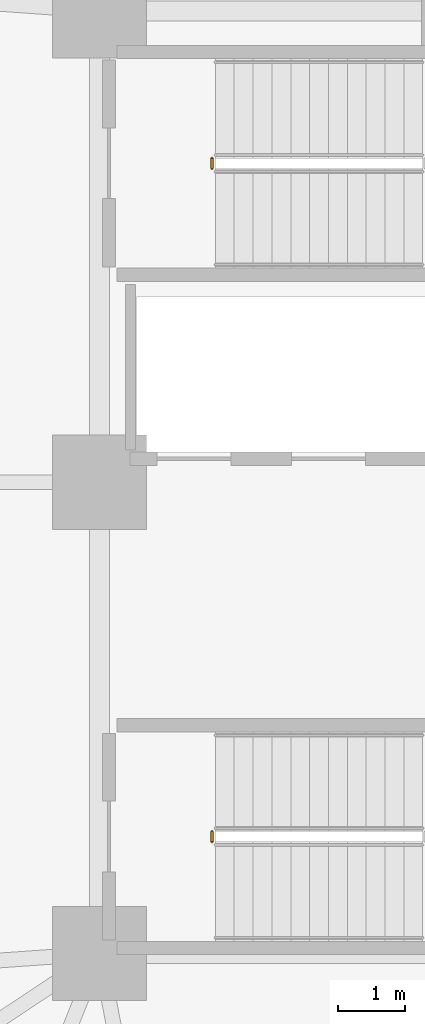
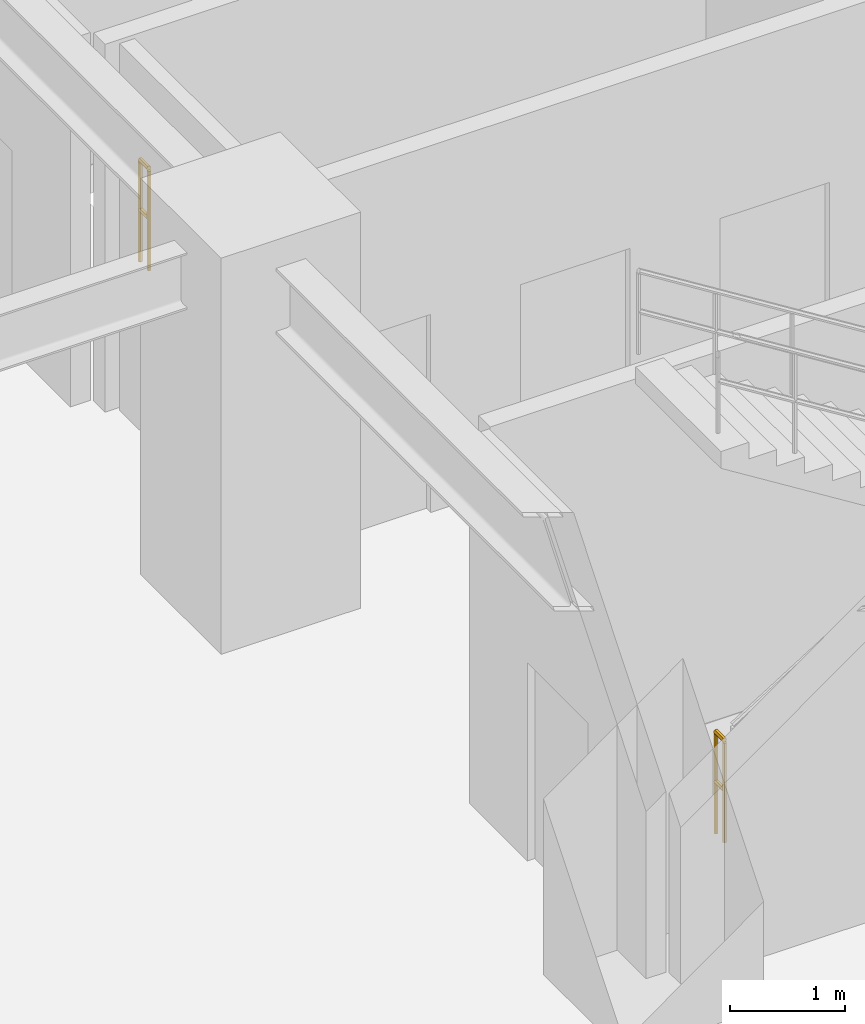
# One storey, part 16 of 20: 2 railings.
"""IFC4 building model written with IfcOpenShell, lengths in metres."""

from ifc_helpers import new_model, si_unit, direction, frame, origin, place, context, subcontext, project, spatial, polyline, outline, extrude, material, type_object, element, save


model = new_model("IFC4")

# Units and contexts
model_context = context("Model", 3, precision=1e-05, world=origin(), true_north=direction((0.0, 1.0)))
body_context = subcontext(model_context, "Body", "Model", "MODEL_VIEW")
ifc_project = project(units=[si_unit("LENGTHUNIT", "METRE"), si_unit("AREAUNIT", "SQUARE_METRE"), si_unit("VOLUMEUNIT", "CUBIC_METRE"), si_unit("PLANEANGLEUNIT", "RADIAN"), si_unit("MASSUNIT", "GRAM", prefix="KILO")], contexts=[model_context])

# Site, building, storey
site_placement = place(None, origin())
site = spatial("IfcSite", under=ifc_project, at=site_placement, CompositionType="ELEMENT")
building_placement = place(site_placement, origin())
building = spatial("IfcBuilding", under=site, at=building_placement, Name="Kelanora Arch Commons", CompositionType="ELEMENT")
storey_placement = place(building_placement, frame((0.0, 0.0, -4.199951171875)))
storey = spatial("IfcBuildingStorey", under=building, at=storey_placement, Name="B01", CompositionType="ELEMENT", Elevation=-4.199951171875)

# Railings
ifc_material = material(Name="Painted steel stair well guard", Category="steel")
railing_type = type_object("IfcRailingType", Name="RAIL-STAIR-GRD", PredefinedType="GUARDRAIL", material=ifc_material)
for number, where, name in (
    (1, (67.669921875, 62.659912109375, 0.0), "B01 ST-T1 stair guard 4"),
    (2, (67.669921875, 52.659912109375, 0.0), "B01 ST-T3 stair guard 4"),
):
    element("IfcRailing", number, at=place(storey_placement, frame(where)), inside=storey, type_object=railing_type, Name=name, PredefinedType="GUARDRAIL", context=body_context, shape_type="SweptSolid", body=[
        extrude(outline(polyline([(0.02392578125, 0.0), (0.011962890625, 0.020751953125), (-0.011962890625, 0.020751953125), (-0.02392578125, 0.0), (-0.011962890625, -0.020751953125), (0.011962890625, -0.020751953125), (0.02392578125, 0.0)])), frame((0.0, 0.0, 1.076171875), z_axis=(0.0, 1.0, 0.0), x_axis=(-1.0, 0.0, 0.0)), (0.0, 0.0, 1.0), 0.150146484375),
        extrude(outline(polyline([(0.02392578125, 0.0), (0.011962890625, 0.020751953125), (-0.011962890625, 0.020751953125), (-0.02392578125, 0.0), (-0.011962890625, -0.020751953125), (0.011962890625, -0.020751953125), (0.02392578125, 0.0)])), frame((0.0, 0.0, 0.550048828125), z_axis=(0.0, 1.0, 0.0), x_axis=(-1.0, 0.0, 0.0)), (0.0, 0.0, 1.0), 0.150146484375),
        extrude(outline(polyline([(0.02099609375, 0.0), (0.010498046875, 0.01806640625), (-0.010498046875, 0.01806640625), (-0.02099609375, 0.0), (-0.010498046875, -0.01806640625), (0.010498046875, -0.01806640625), (0.02099609375, 0.0)])), origin(), (0.0, 0.0, 1.0), 1.052001953125),
        extrude(outline(polyline([(0.02099609375, 0.0), (0.010498046875, 0.01806640625), (-0.010498046875, 0.01806640625), (-0.02099609375, 0.0), (-0.010498046875, -0.01806640625), (0.010498046875, -0.01806640625), (0.02099609375, 0.0)])), frame((0.0, 0.150146484375, 0.0)), (0.0, 0.0, 1.0), 1.052001953125),
    ])

save(model, "model.ifc")
